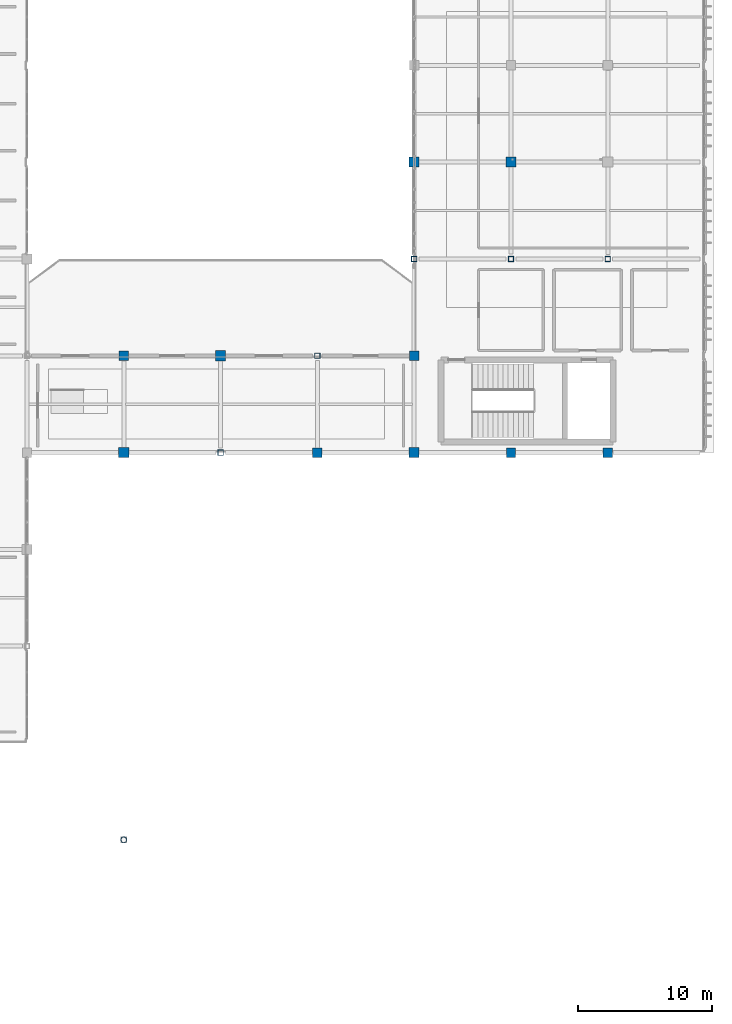
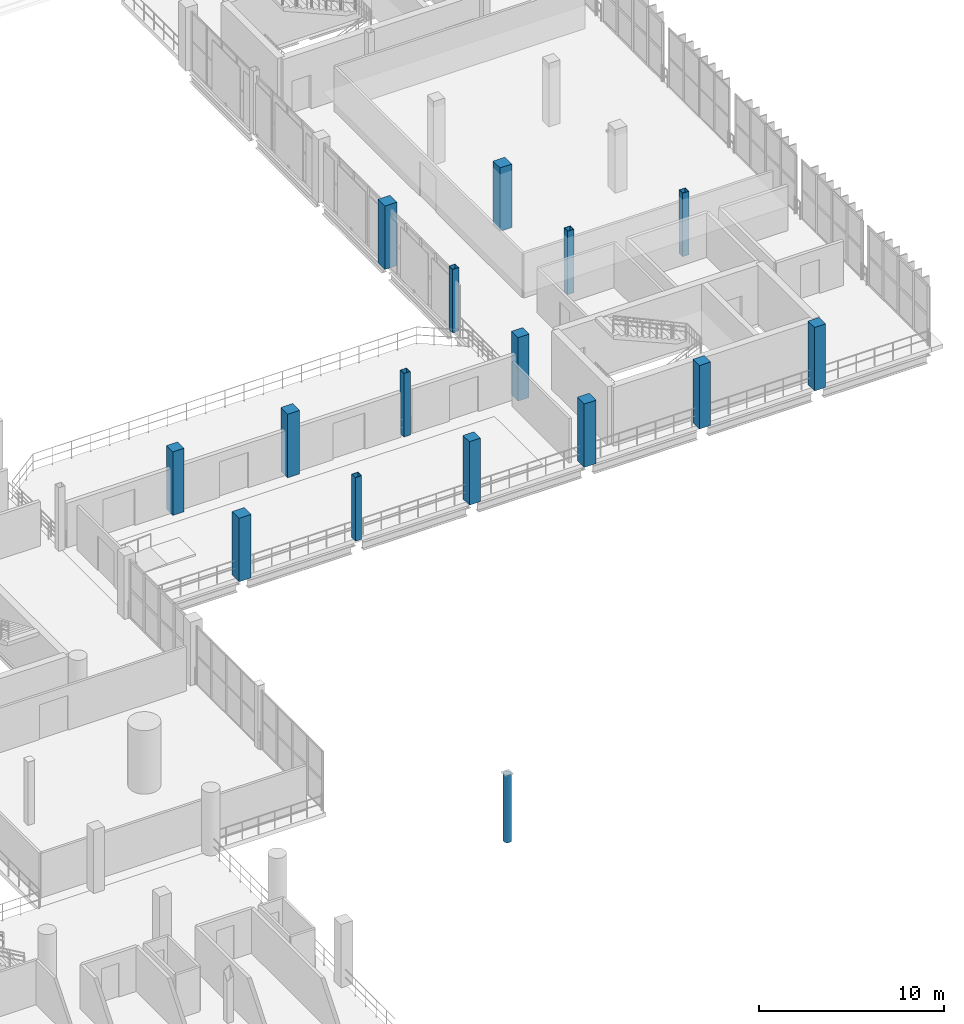
# One storey, part 15 of 130: 16 columns.
"""IFC4 building model written with IfcOpenShell, lengths in metres."""

from ifc_helpers import new_model, si_unit, direction, frame, origin, origin_2d, place, context, subcontext, project, spatial, rectangle, hollow_rectangle, hollow_circle, extrude, material, material_profile, profile_set, type_object, element, save


model = new_model("IFC4")

# Units and contexts
model_context = context("Model", 3, precision=1e-05, world=origin(), true_north=direction((0.0, 1.0)))
body_context = subcontext(model_context, "Body", "Model", "MODEL_VIEW")
ifc_project = project(units=[si_unit("LENGTHUNIT", "METRE"), si_unit("AREAUNIT", "SQUARE_METRE"), si_unit("VOLUMEUNIT", "CUBIC_METRE"), si_unit("PLANEANGLEUNIT", "RADIAN"), si_unit("MASSUNIT", "GRAM", prefix="KILO")], contexts=[model_context])

# Site, building, storey
site_placement = place(None, origin())
site = spatial("IfcSite", under=ifc_project, at=site_placement, CompositionType="ELEMENT")
building_placement = place(site_placement, origin())
building = spatial("IfcBuilding", under=site, at=building_placement, Name="Qandorah Velis Arena", CompositionType="ELEMENT")
storey_placement = place(building_placement, frame((0.0, 0.0, 9.60009765625)))
storey = spatial("IfcBuildingStorey", under=building, at=storey_placement, Name="L02", CompositionType="ELEMENT", Elevation=9.60009765625)

# Columns
ifc_material_1 = material(Name="Steel S355", Category="steel")
ifc_material_profile_1 = material_profile(ifc_material_1, hollow_circle(Radius=0.228515625, WallThickness=0.02001953125, at=origin_2d()), Name="CHS 457x20")
ifc_profile_set_1 = profile_set([ifc_material_profile_1], Name="Steel S355")
column_type_1 = type_object("IfcColumnType", Name="STR-COL-CHS457", PredefinedType="COLUMN", material=ifc_profile_set_1)
column_placement = place(storey_placement, frame((129.60009765625, 14.39990234375, 0.0), z_axis=(0.0, 0.0, 1.0), x_axis=(1.0, 0.0, 0.0)))
element("IfcColumn", 1, at=column_placement, inside=storey, type_object=column_type_1, Name="Canopy mid-span column L02-194", PredefinedType="COLUMN", context=body_context, shape_type="SweptSolid", body=[
    extrude(hollow_circle(Radius=0.228515625, WallThickness=0.02001953125, at=origin_2d()), origin(), (0.0, 0.0, 1.0), 4.46142578125),
])
ifc_material_2 = material(Name="Concrete C40/50", Category="concrete")
ifc_material_profile_2 = material_profile(ifc_material_2, rectangle(XDim=0.699951171875, YDim=0.699951171875, at=origin_2d()), Name="RC COL 700x700")
ifc_profile_set_2 = profile_set([ifc_material_profile_2], Name="Concrete C40/50")
column_type_2 = type_object("IfcColumnType", Name="STR-COL-RC700", PredefinedType="COLUMN", material=ifc_profile_set_2)
for number, where, z_axis, x_axis, name in (
    (2, (129.60009765625, 50.39990234375, 0.0), (0.0, 0.0, 1.0), (1.0, 0.0, 0.0), "Structural column L02-196"),
    (3, (144.0, 43.199951171875, 0.0), (0.0, 0.0, 1.0), (1.0, 0.0, 0.0), "Structural column L02-199"),
    (4, (151.199951171875, 50.39990234375, 0.0), (0.0, 0.0, 1.0), (1.0, 0.0, 0.0), "Structural column L02-202"),
    (5, (158.39990234375, 43.199951171875, 0.0), (0.0, 0.0, 1.0), (1.0, 0.0, 0.0), "Structural column L02-208"),
    (6, (165.60009765625, 43.199951171875, 0.0), (0.0, 0.0, 1.0), (1.0, 0.0, 0.0), "Structural column L02-214"),
):
    element("IfcColumn", number, at=place(storey_placement, frame(where, z_axis=z_axis, x_axis=x_axis)), inside=storey, type_object=column_type_2, Name=name, PredefinedType="COLUMN", context=body_context, shape_type="SweptSolid", body=[
        extrude(rectangle(XDim=0.699951171875, YDim=0.699951171875, at=origin_2d()), origin(), (0.0, 0.0, 1.0), 4.199951171875),
    ])
ifc_material_profile_3 = material_profile(ifc_material_2, rectangle(XDim=0.75, YDim=0.75, at=origin_2d()), Name="RC COL 750x750")
ifc_profile_set_3 = profile_set([ifc_material_profile_3], Name="Concrete C40/50")
column_type_3 = type_object("IfcColumnType", Name="STR-COL-RC750", PredefinedType="COLUMN", material=ifc_profile_set_3)
for number, where, z_axis, x_axis, name in (
    (7, (129.60009765625, 43.199951171875, 0.0), (0.0, 0.0, 1.0), (1.0, 0.0, 0.0), "Structural column L02-195"),
    (8, (136.800048828125, 50.39990234375, 0.0), (0.0, 0.0, 1.0), (1.0, 0.0, 0.0), "Structural column L02-198"),
    (9, (151.199951171875, 43.199951171875, 0.0), (0.0, 0.0, 1.0), (1.0, 0.0, 0.0), "Structural column L02-201"),
    (10, (151.199951171875, 64.800048828125, 0.0), (0.0, 0.0, 1.0), (1.0, 0.0, 0.0), "Structural column L02-204"),
    (11, (158.39990234375, 64.800048828125, 0.0), (0.0, 0.0, 1.0), (1.0, 0.0, 0.0), "Structural column L02-210"),
):
    element("IfcColumn", number, at=place(storey_placement, frame(where, z_axis=z_axis, x_axis=x_axis)), inside=storey, type_object=column_type_3, Name=name, PredefinedType="COLUMN", context=body_context, shape_type="SweptSolid", body=[
        extrude(rectangle(XDim=0.75, YDim=0.75, at=origin_2d()), origin(), (0.0, 0.0, 1.0), 4.199951171875),
    ])
ifc_material_profile_4 = material_profile(ifc_material_1, hollow_rectangle(XDim=0.39990234375, YDim=0.39990234375, WallThickness=0.02001953125, at=origin_2d()), Name="SHS 400x400x20")
ifc_profile_set_4 = profile_set([ifc_material_profile_4], Name="Steel S355")
column_type_4 = type_object("IfcColumnType", Name="STR-COL-SHS400", PredefinedType="COLUMN", material=ifc_profile_set_4)
for number, where, z_axis, x_axis, name in (
    (12, (136.800048828125, 43.199951171875, 0.0), (0.0, 0.0, 1.0), (1.0, 0.0, 0.0), "Structural column L02-197"),
    (13, (144.0, 50.39990234375, 0.0), (0.0, 0.0, 1.0), (1.0, 0.0, 0.0), "Structural column L02-200"),
    (14, (151.199951171875, 57.60009765625, 0.0), (0.0, 0.0, 1.0), (1.0, 0.0, 0.0), "Structural column L02-203"),
    (15, (158.39990234375, 57.60009765625, 0.0), (0.0, 0.0, 1.0), (1.0, 0.0, 0.0), "Structural column L02-209"),
    (16, (165.60009765625, 57.60009765625, 0.0), (0.0, 0.0, 1.0), (1.0, 0.0, 0.0), "Structural column L02-215"),
):
    element("IfcColumn", number, at=place(storey_placement, frame(where, z_axis=z_axis, x_axis=x_axis)), inside=storey, type_object=column_type_4, Name=name, PredefinedType="COLUMN", context=body_context, shape_type="SweptSolid", body=[
        extrude(hollow_rectangle(XDim=0.39990234375, YDim=0.39990234375, WallThickness=0.02001953125, at=origin_2d()), origin(), (0.0, 0.0, 1.0), 4.199951171875),
    ])

save(model, "model.ifc")
